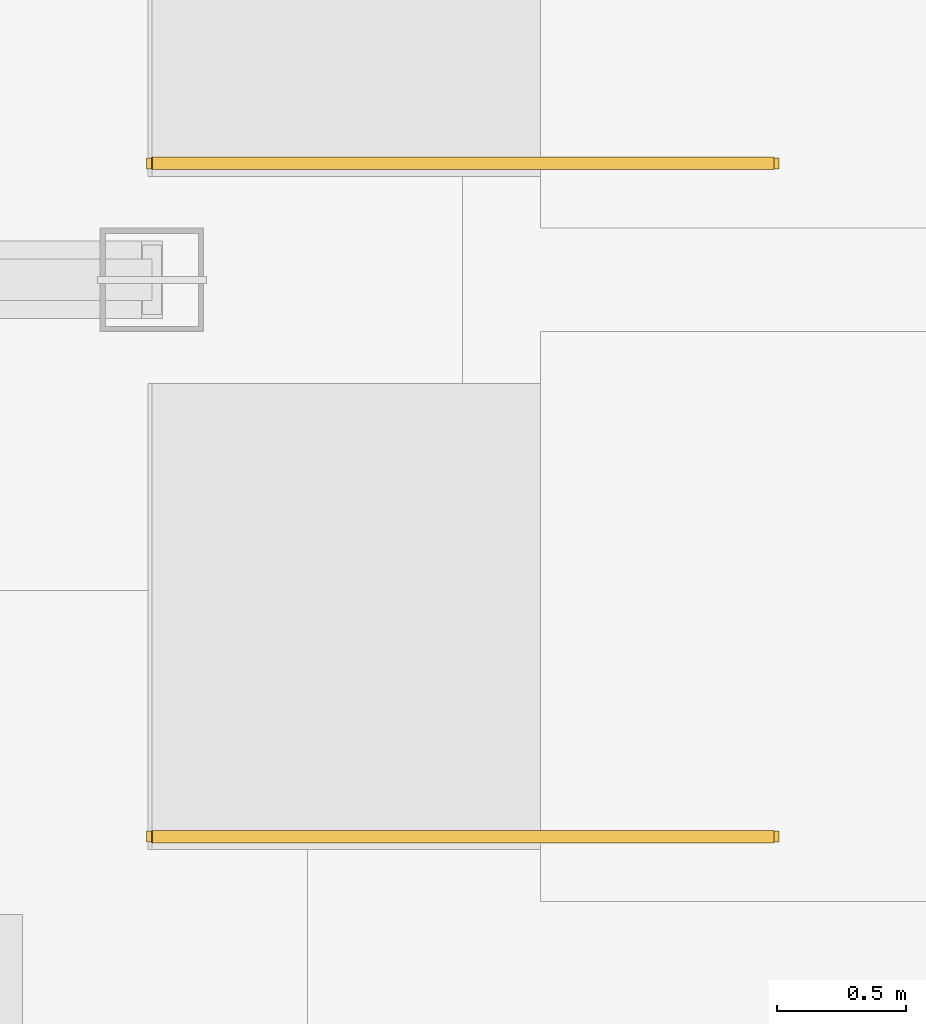
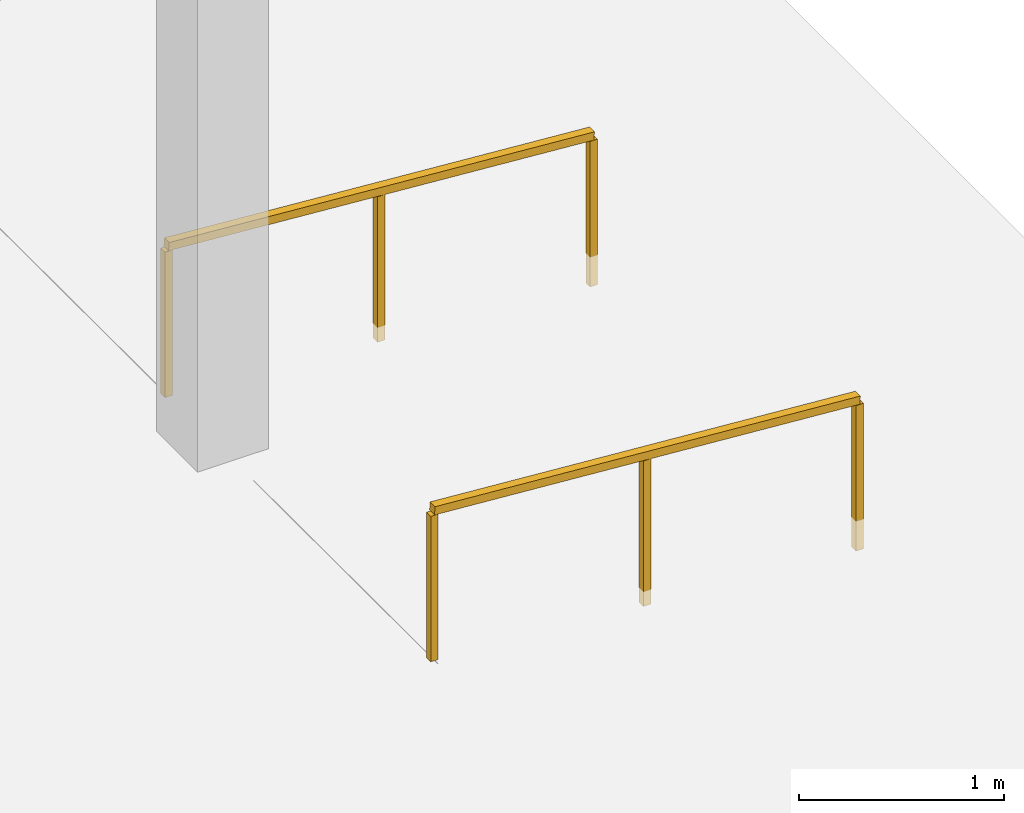
# One storey, part 22 of 23: 2 railings.
"""IFC4 building model written with IfcOpenShell, lengths in metres."""

import ifcopenshell
import ifcopenshell.guid

model = None  # the IFC model being written
_history = None  # IfcOwnerHistory: only IFC2X3 demands one
_inside = {}  # id of a spatial element -> (the spatial element, [elements in it])
_under = {}  # id of a project, library or spatial element -> (it, [spatial elements below it])
_declared = {}  # id of a project -> (the project, [libraries it declares])
_typed = {}  # id of a type object -> (the type object, [elements of that type])
_made_of = {}  # id of a material, layer set ... -> (it, [elements and type objects made of it])


def new_model(schema):
    """Start an empty IFC model of exactly this schema.

    Asked for "IFC4X3", IfcOpenShell would pick the latest addendum, in which some entities
    have other attributes; the version numbers below select the first issue.
    IFC2X3 requires an IfcOwnerHistory on every rooted entity: one is made here for all.
    """
    global model, _history
    if schema == "IFC4X3":
        model = ifcopenshell.file(schema_version=(4, 3, 0, 0))
    else:
        model = ifcopenshell.file(schema=schema)
    _inside.clear()
    _under.clear()
    _declared.clear()
    _typed.clear()
    _made_of.clear()
    _history = None
    if model.schema == "IFC2X3":
        org = make("IfcOrganization", Name="unknown")
        user = make(
            "IfcPersonAndOrganization",
            ThePerson=make("IfcPerson", FamilyName="unknown"),
            TheOrganization=org,
        )
        app = make(
            "IfcApplication",
            ApplicationDeveloper=org,
            Version="unknown",
            ApplicationFullName="unknown",
            ApplicationIdentifier="unknown",
        )
        _history = make(
            "IfcOwnerHistory",
            OwningUser=user,
            OwningApplication=app,
            ChangeAction="ADDED",
            CreationDate=0,
        )
    return model


def make(cls, **values):
    """One entity of the class cls with the attributes given. An attribute that is None is left unset."""
    return model.create_entity(
        cls, **{name: value for name, value in values.items() if value is not None}
    )


def rooted(cls, **values):
    """An entity with a GlobalId (a new one), such as an element, a storey or a relation."""
    return make(cls, GlobalId=ifcopenshell.guid.new(), OwnerHistory=_history, **values)


def si_unit(unit_type, name, prefix=None):
    """IfcSIUnit, for example si_unit("LENGTHUNIT", "METRE", prefix="MILLI")."""
    return make("IfcSIUnit", UnitType=unit_type, Prefix=prefix, Name=name)


def assignment(units):
    """IfcUnitAssignment: the units of a project."""
    return None if units is None else make("IfcUnitAssignment", Units=units)


def point(xyz):
    """IfcCartesianPoint."""
    return None if xyz is None else make("IfcCartesianPoint", Coordinates=xyz)


def direction(xyz):
    """IfcDirection."""
    return None if xyz is None else make("IfcDirection", DirectionRatios=xyz)


def frame(location, z_axis=None, x_axis=None):
    """IfcAxis2Placement3D, a coordinate frame: its origin and axes. An axis left out is left unset."""
    return make(
        "IfcAxis2Placement3D",
        Location=point(location),
        Axis=direction(z_axis),
        RefDirection=direction(x_axis),
    )


def frame_2d(location, x_axis=None):
    """IfcAxis2Placement2D, a coordinate frame in the plane: its origin and x axis."""
    return make(
        "IfcAxis2Placement2D", Location=point(location), RefDirection=direction(x_axis)
    )


def origin():
    """The frame at (0, 0, 0) with its axes left unset."""
    return frame((0.0, 0.0, 0.0))


def origin_2d():
    """The frame at (0, 0) in the plane with its x axis left unset."""
    return frame_2d((0.0, 0.0))


def place(relative_to, where):
    """IfcLocalPlacement: puts the frame where relative to a parent placement (None: the world)."""
    return make(
        "IfcLocalPlacement", PlacementRelTo=relative_to, RelativePlacement=where
    )


def context(
    kind, dimensions, precision=None, world=None, true_north=None, identifier=None
):
    """IfcGeometricRepresentationContext, for example the 3D "Model" context."""
    return make(
        "IfcGeometricRepresentationContext",
        ContextIdentifier=identifier,
        ContextType=kind,
        CoordinateSpaceDimension=dimensions,
        Precision=precision,
        WorldCoordinateSystem=world,
        TrueNorth=true_north,
    )


def subcontext(parent, identifier, kind, view, scale=None):
    """IfcGeometricRepresentationSubContext, for example "Body" below "Model"."""
    return make(
        "IfcGeometricRepresentationSubContext",
        ContextIdentifier=identifier,
        ContextType=kind,
        ParentContext=parent,
        TargetScale=scale,
        TargetView=view,
    )


def project(units=None, contexts=None):
    """IfcProject with its units and contexts."""
    return rooted(
        "IfcProject",
        Name="project",
        RepresentationContexts=contexts,
        UnitsInContext=assignment(units),
    )


def spatial(cls, under=None, at=None, **own):
    """A site, building, storey or space (cls), placed at a placement, below another one or the project."""
    s = rooted(cls, ObjectPlacement=at, **own)
    if under is not None:
        _under.setdefault(under.id(), (under, []))[1].append(s)
    return s


def profile(cls, at=None, kind="AREA", **sizes):
    """A parametric profile (cls). Its sizes go by their IFC names, for example OverallWidth=200.0."""
    return make(cls, ProfileType=kind, Position=at, **sizes)


def rectangle(**sizes):
    """IfcRectangleProfileDef."""
    return profile("IfcRectangleProfileDef", **sizes)


def extrude(swept, where, along, depth):
    """IfcExtrudedAreaSolid: the profile swept, set in the frame where, extruded along a direction by depth."""
    return make(
        "IfcExtrudedAreaSolid",
        SweptArea=swept,
        Position=where,
        ExtrudedDirection=direction(along),
        Depth=depth,
    )


def shape(context_of_items, identifier, shape_type, items):
    """IfcShapeRepresentation: the items that make up one representation, for example the "Body"."""
    return make(
        "IfcShapeRepresentation",
        ContextOfItems=context_of_items,
        RepresentationIdentifier=identifier,
        RepresentationType=shape_type,
        Items=items,
    )


def material(Name=None, Category=None):
    """IfcMaterial."""
    return make("IfcMaterial", Name=Name, Category=Category)


def made_of(thing, what):
    """Note that an element or type object is made of a material, layer set ...; save() writes the relation."""
    if what is not None:
        _made_of.setdefault(what.id(), (what, []))[1].append(thing)
    return thing


def type_object(cls, material=None, **own):
    """A type object (cls), such as IfcWallType, which elements share."""
    return made_of(rooted(cls, **own), material)


def element(
    cls,
    number,
    at=None,
    inside=None,
    cuts=None,
    type_object=None,
    material=None,
    context=None,
    identifier="Body",
    shape_type=None,
    held_by="IfcProductDefinitionShape",
    body=None,
    shapes=None,
    **own,
):
    """One element of the class cls, such as IfcWall. Its Tag is "e" and its number.

    at: its placement. inside: the storey or other place that contains it. cuts: it is an
    opening in that element (IfcRelVoidsElement). A single representation is given by context,
    identifier, shape_type and body (its items); several are given by shapes. held_by: the class
    of the entity that holds the representations. save() writes the other relations.
    """
    e = rooted(cls, Tag="e%d" % number, ObjectPlacement=at, **own)
    if body is not None:
        shapes = [shape(context, identifier, shape_type, body)]
    if shapes is not None:
        e.Representation = make(held_by, Representations=shapes)
    if inside is not None:
        _inside.setdefault(inside.id(), (inside, []))[1].append(e)
    if cuts is not None:
        rooted(
            "IfcRelVoidsElement", RelatingBuildingElement=cuts, RelatedOpeningElement=e
        )
    if type_object is not None:
        _typed.setdefault(type_object.id(), (type_object, []))[1].append(e)
    return made_of(e, material)


def aggregate(whole, parts):
    """IfcRelAggregates: a whole, such as a stair, and the parts it consists of."""
    return rooted("IfcRelAggregates", RelatingObject=whole, RelatedObjects=parts)


def save(model, path):
    """Write the relations noted so far, then the file.

    IfcRelAggregates (storeys below a building ...), IfcRelContainedInSpatialStructure (elements
    in a storey), IfcRelDefinesByType, IfcRelAssociatesMaterial and IfcRelDeclares: one each for
    every whole, place, type object, material and project.
    """
    for whole, parts in _under.values():
        aggregate(whole, parts)
    for where, things in _inside.values():
        rooted(
            "IfcRelContainedInSpatialStructure",
            RelatedElements=things,
            RelatingStructure=where,
        )
    for kind, things in _typed.values():
        rooted("IfcRelDefinesByType", RelatedObjects=things, RelatingType=kind)
    for what, things in _made_of.values():
        rooted("IfcRelAssociatesMaterial", RelatedObjects=things, RelatingMaterial=what)
    for by, libraries in _declared.values():
        rooted("IfcRelDeclares", RelatingContext=by, RelatedDefinitions=libraries)
    model.write(path)


model = new_model("IFC4")

# Units and contexts
model_context = context("Model", 3, precision=1e-05, world=origin(), true_north=direction((0.0, 1.0)))
body_context = subcontext(model_context, "Body", "Model", "MODEL_VIEW")
ifc_project = project(units=[si_unit("LENGTHUNIT", "METRE"), si_unit("AREAUNIT", "SQUARE_METRE"), si_unit("VOLUMEUNIT", "CUBIC_METRE"), si_unit("PLANEANGLEUNIT", "RADIAN"), si_unit("MASSUNIT", "GRAM", prefix="KILO")], contexts=[model_context])

# Site, building, storey
site_placement = place(None, origin())
site = spatial("IfcSite", under=ifc_project, at=site_placement, CompositionType="ELEMENT")
building_placement = place(site_placement, origin())
building = spatial("IfcBuilding", under=site, at=building_placement, Name="Varnakorn Sky Granary", CompositionType="ELEMENT")
storey_placement = place(building_placement, origin())
storey = spatial("IfcBuildingStorey", under=building, at=storey_placement, Name="L00", CompositionType="ELEMENT", Elevation=0.0)

# Railings
ifc_material = material(Name="Brushed Stainless Steel 316", Category="steel")
railing_type = type_object("IfcRailingType", Name="RL-STAIR-920", PredefinedType="HANDRAIL", material=ifc_material)
for number, where, name in (
    (1, (37.199951171875, -2.14990234375, 0.0), "Accessible Plaza Ramp Handrail 2"),
    (2, (37.199951171875, 0.449951171875, 0.0), "Accessible Plaza Ramp Handrail 4"),
):
    element("IfcRailing", number, at=place(storey_placement, frame(where)), inside=storey, type_object=railing_type, Name=name, PredefinedType="HANDRAIL", context=body_context, shape_type="SweptSolid", body=[
        extrude(rectangle(XDim=0.048095703125, YDim=0.048095703125, at=origin_2d()), frame((0.0, 0.0, 0.89599609375), z_axis=(0.997201767984, 0.0, -0.074757166413), x_axis=(0.0, 1.0, 0.0)), (0.0, 0.0, 1.0), 2.406982421875),
        extrude(rectangle(XDim=0.0419921875, YDim=0.0419921875, at=origin_2d()), origin(), (0.0, 0.0, 1.0), 0.867919921875),
        extrude(rectangle(XDim=0.0419921875, YDim=0.0419921875, at=origin_2d()), frame((1.2001953125, 0.0, -0.08984375)), (0.0, 0.0, 1.0), 0.867919921875),
        extrude(rectangle(XDim=0.0419921875, YDim=0.0419921875, at=origin_2d()), frame((2.400146484375, 0.0, -0.179931640625)), (0.0, 0.0, 1.0), 0.867919921875),
    ])

save(model, "model.ifc")
